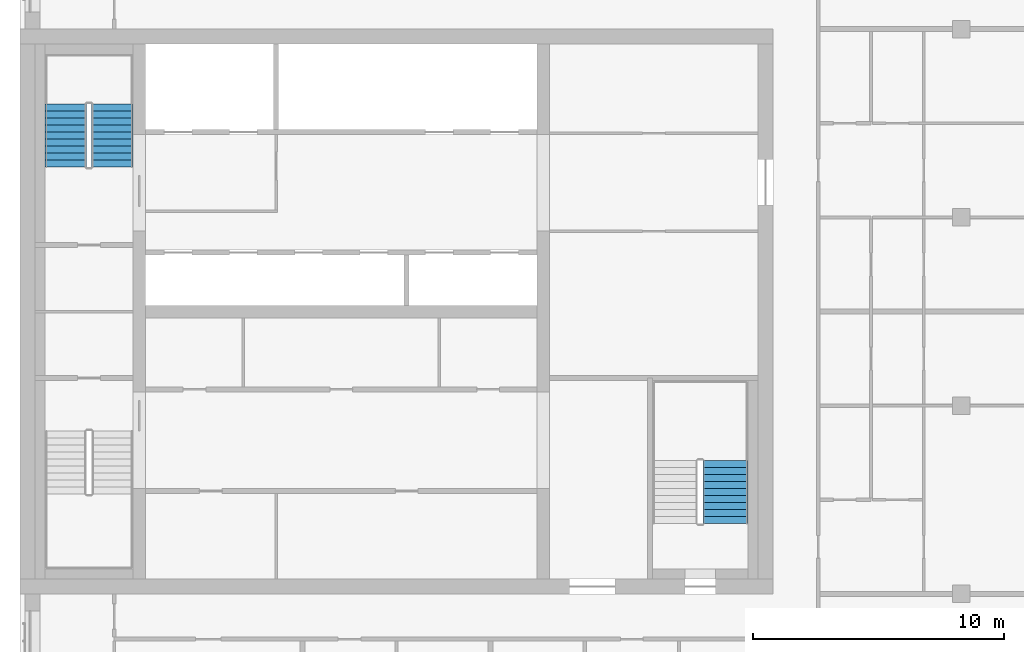
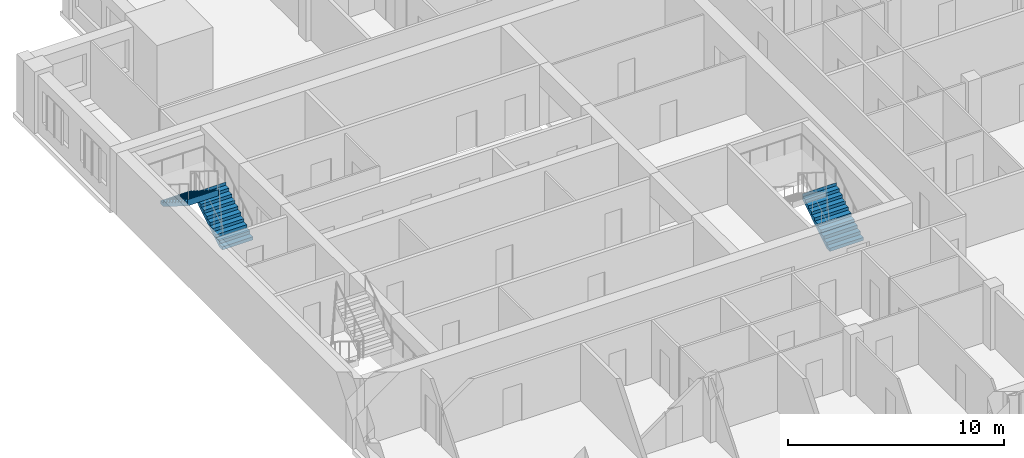
# One storey, part 9 of 10: 3 stair flights, 2 elements without a shape of their own.
"""IFC4 building model written with IfcOpenShell, lengths in metres."""

from ifc_helpers import new_model, si_unit, direction, frame, origin, place, context, subcontext, project, spatial, polyline, outline, extrude, material, type_object, element, aggregate, save


model = new_model("IFC4")

# Units and contexts
model_context = context("Model", 3, precision=1e-05, world=origin(), true_north=direction((0.0, 1.0)))
body_context = subcontext(model_context, "Body", "Model", "MODEL_VIEW")
ifc_project = project(units=[si_unit("LENGTHUNIT", "METRE"), si_unit("AREAUNIT", "SQUARE_METRE"), si_unit("VOLUMEUNIT", "CUBIC_METRE"), si_unit("PLANEANGLEUNIT", "RADIAN"), si_unit("MASSUNIT", "GRAM", prefix="KILO")], contexts=[model_context])

# Site, building, storey
site_placement = place(None, origin())
site = spatial("IfcSite", under=ifc_project, at=site_placement, CompositionType="ELEMENT")
building_placement = place(site_placement, origin())
building = spatial("IfcBuilding", under=site, at=building_placement, Name="Tamorin Gate", CompositionType="ELEMENT")
storey_placement = place(building_placement, frame((0.0, 0.0, 280.199951171875)))
storey = spatial("IfcBuildingStorey", under=building, at=storey_placement, Name="L70", CompositionType="ELEMENT", Elevation=280.199951171875)

# Stair, stair flights
ifc_material = material(Name="Concrete C40/50", Category="concrete")
stair_type = type_object("IfcStairType", Name="Exit stair", PredefinedType="HALF_TURN_STAIR", material=ifc_material)
stair_1_placement = place(storey_placement, origin())
stair_1 = element("IfcStair", 1, at=stair_1_placement, inside=storey, type_object=stair_type, Name="L70 stair ST2", PredefinedType="HALF_TURN_STAIR")
stair_flight_type = type_object("IfcStairFlightType", Name="Exit stair flight", PredefinedType="STRAIGHT", material=ifc_material)
stair_flight_1_placement = place(storey_placement, frame((33.675048828125, 77.0, 0.0), z_axis=(0.0, 0.0, 1.0), x_axis=(0.0, 1.0, 0.0)))
stair_flight_1 = element("IfcStairFlight", 2, at=stair_flight_1_placement, type_object=stair_flight_type, Name="ST2 flight 1", NumberOfRisers=10, NumberOfTreads=9, PredefinedType="STRAIGHT", RiserHeight=0.175, TreadLength=0.28, context=body_context, shape_type="SweptSolid", body=[
    extrude(outline(polyline([(-0.00048828125, 0.0), (-0.00048828125, 0.001708984375), (-0.00048828125, 0.00341796875), (-0.00048828125, 0.005126953125), (-0.00048828125, 0.0068359375), (-0.00048828125, 0.008544921875), (-0.00048828125, 0.010498046875), (-0.00048828125, 0.01220703125), (-0.00048828125, 0.013916015625), (-0.00048828125, 0.015625), (-0.00048828125, 0.017333984375), (-0.00048828125, 0.01904296875), (-0.00048828125, 0.020751953125), (-0.00048828125, 0.0224609375), (-0.00048828125, 0.024169921875), (-0.00048828125, 0.02587890625), (-0.00048828125, 0.02783203125), (-0.00048828125, 0.029541015625), (-0.00048828125, 0.03125), (-0.00048828125, 0.032958984375), (-0.00048828125, 0.03466796875), (-0.00048828125, 0.036376953125), (-0.00048828125, 0.0380859375), (-0.00048828125, 0.039794921875), (-0.00048828125, 0.04150390625), (-0.00048828125, 0.043212890625), (-0.00048828125, 0.045166015625), (-0.00048828125, 0.046875), (-0.00048828125, 0.048583984375), (-0.00048828125, 0.05029296875), (-0.00048828125, 0.052001953125), (-0.00048828125, 0.0537109375), (-0.00048828125, 0.055419921875), (-0.00048828125, 0.05712890625), (-0.00048828125, 0.058837890625), (-0.00048828125, 0.060546875), (-0.00048828125, 0.062255859375), (-0.00048828125, 0.064208984375), (-0.00048828125, 0.06591796875), (-0.00048828125, 0.067626953125), (-0.00048828125, 0.0693359375), (-0.00048828125, 0.071044921875), (-0.00048828125, 0.07275390625), (-0.00048828125, 0.074462890625), (-0.00048828125, 0.076171875), (-0.00048828125, 0.077880859375), (-0.00048828125, 0.07958984375), (-0.00048828125, 0.08154296875), (-0.00048828125, 0.083251953125), (-0.00048828125, 0.0849609375), (-0.00048828125, 0.086669921875), (-0.00048828125, 0.08837890625), (-0.00048828125, 0.090087890625), (-0.00048828125, 0.091796875), (-0.00048828125, 0.093505859375), (-0.00048828125, 0.09521484375), (-0.00048828125, 0.096923828125), (-0.00048828125, 0.098876953125), (-0.00048828125, 0.1005859375), (-0.00048828125, 0.102294921875), (-0.00048828125, 0.10400390625), (-0.00048828125, 0.105712890625), (-0.00048828125, 0.107421875), (-0.00048828125, 0.109130859375), (-0.00048828125, 0.11083984375), (-0.00048828125, 0.112548828125), (-0.00048828125, 0.1142578125), (-0.00048828125, 0.1162109375), (-0.00048828125, 0.117919921875), (-0.00048828125, 0.11962890625), (-0.00048828125, 0.121337890625), (-0.00048828125, 0.123046875), (-0.00048828125, 0.124755859375), (-0.00048828125, 0.12646484375), (-0.00048828125, 0.128173828125), (-0.00048828125, 0.1298828125), (-0.00048828125, 0.131591796875), (-0.00048828125, 0.13330078125), (-0.00048828125, 0.13525390625), (-0.00048828125, 0.136962890625), (-0.00048828125, 0.138671875), (-0.00048828125, 0.140380859375), (-0.00048828125, 0.14208984375), (-0.00048828125, 0.143798828125), (-0.00048828125, 0.1455078125), (-0.00048828125, 0.147216796875), (-0.00048828125, 0.14892578125), (-0.00048828125, 0.150634765625), (-0.00048828125, 0.152587890625), (-0.00048828125, 0.154296875), (-0.00048828125, 0.156005859375), (-0.00048828125, 0.15771484375), (-0.00048828125, 0.159423828125), (-0.00048828125, 0.1611328125), (-0.00048828125, 0.162841796875), (-0.00048828125, 0.16455078125), (-0.00048828125, 0.166259765625), (-0.00048828125, 0.16796875), (-0.00048828125, 0.169921875), (-0.00048828125, 0.171630859375), (-0.00048828125, 0.17333984375), (-0.00048828125, 0.175048828125), (0.280029296875, 0.175048828125), (0.280029296875, 0.35009765625), (0.56005859375, 0.35009765625), (0.56005859375, 0.52490234375), (0.840087890625, 0.52490234375), (0.840087890625, 0.699951171875), (1.1201171875, 0.699951171875), (1.1201171875, 0.875), (1.39990234375, 0.875), (1.39990234375, 1.050048828125), (1.679931640625, 1.050048828125), (1.679931640625, 1.22509765625), (1.9599609375, 1.22509765625), (1.9599609375, 1.39990234375), (2.239990234375, 1.39990234375), (2.239990234375, 1.574951171875), (2.52001953125, 1.574951171875), (2.52001953125, 1.75), (2.5205078125, 1.75), (2.5205078125, 1.74658203125), (2.5205078125, 1.742919921875), (2.5205078125, 1.739501953125), (2.5205078125, 1.736083984375), (2.5205078125, 1.732666015625), (2.5205078125, 1.72900390625), (2.5205078125, 1.7255859375), (2.5205078125, 1.72216796875), (2.5205078125, 1.71875), (2.5205078125, 1.715087890625), (2.5205078125, 1.711669921875), (2.5205078125, 1.708251953125), (2.5205078125, 1.704833984375), (2.5205078125, 1.701171875), (2.5205078125, 1.69775390625), (2.5205078125, 1.6943359375), (2.5205078125, 1.690673828125), (2.5205078125, 1.687255859375), (2.5205078125, 1.683837890625), (2.5205078125, 1.680419921875), (2.5205078125, 1.6767578125), (2.5205078125, 1.67333984375), (2.5205078125, 1.669921875), (2.5205078125, 1.66650390625), (2.5205078125, 1.662841796875), (2.5205078125, 1.659423828125), (2.5205078125, 1.656005859375), (2.5205078125, 1.652587890625), (2.5205078125, 1.64892578125), (2.5205078125, 1.6455078125), (2.5205078125, 1.64208984375), (2.5205078125, 1.638427734375), (2.5205078125, 1.635009765625), (2.5205078125, 1.631591796875), (2.5205078125, 1.628173828125), (2.5205078125, 1.62451171875), (2.5205078125, 1.62109375), (2.5205078125, 1.61767578125), (2.5205078125, 1.6142578125), (2.5205078125, 1.610595703125), (2.5205078125, 1.607177734375), (2.5205078125, 1.603759765625), (2.5205078125, 1.600341796875), (2.5205078125, 1.5966796875), (2.5205078125, 1.59326171875), (2.5205078125, 1.58984375), (2.5205078125, 1.58642578125), (2.5205078125, 1.582763671875), (2.5205078125, 1.579345703125), (2.5205078125, 1.575927734375), (2.5205078125, 1.572265625), (2.5205078125, 1.56884765625), (2.5205078125, 1.5654296875), (2.5205078125, 1.56201171875), (2.5205078125, 1.558349609375), (2.5205078125, 1.554931640625), (2.5205078125, 1.551513671875), (2.5205078125, 1.548095703125), (2.5205078125, 1.54443359375), (2.5205078125, 1.541015625), (2.5205078125, 1.53759765625), (2.5205078125, 1.5341796875), (2.5205078125, 1.530517578125), (2.5205078125, 1.527099609375), (2.5205078125, 1.523681640625), (2.5205078125, 1.52001953125), (2.5205078125, 1.5166015625), (2.5205078125, 1.51318359375), (2.5205078125, 1.509765625), (2.5205078125, 1.506103515625), (2.5205078125, 1.502685546875), (2.5205078125, 1.499267578125), (2.5205078125, 1.495849609375), (2.5205078125, 1.4921875), (2.5205078125, 1.48876953125), (2.5205078125, 1.4853515625), (2.5205078125, 1.48193359375), (2.5205078125, 1.478271484375), (2.5205078125, 1.474853515625), (2.5205078125, 1.471435546875), (2.5205078125, 1.4677734375), (2.5205078125, 1.46435546875), (2.5205078125, 1.4609375), (2.5205078125, 1.45751953125), (2.5205078125, 1.453857421875), (2.5205078125, 1.450439453125), (2.5205078125, 1.447021484375), (2.5205078125, 1.443603515625), (2.5205078125, 1.43994140625), (2.5205078125, 1.4365234375), (2.5205078125, 1.43310546875), (2.5205078125, 1.4296875), (2.5205078125, 1.426025390625), (2.5205078125, 1.422607421875), (2.5205078125, 1.419189453125), (2.5205078125, 1.41552734375), (2.5205078125, 1.412109375), (2.5205078125, 1.40869140625), (2.5205078125, 1.4052734375), (2.5205078125, 1.401611328125), (2.5205078125, 1.398193359375), (2.52001953125, 1.398193359375), (0.28271484375, 0.0), (-0.00048828125, 0.0)])), frame((0.0, 0.824951171875, 0.0), z_axis=(0.0, -1.0, 0.0), x_axis=(1.0, 0.0, 0.0)), (0.0, 0.0, 1.0), 1.64990234375),
])
stair_flight_2_placement = place(storey_placement, frame((31.824951171875, 79.52001953125, 1.75), z_axis=(0.0, 0.0, 1.0), x_axis=(0.0, -1.0, 0.0)))
stair_flight_2 = element("IfcStairFlight", 3, at=stair_flight_2_placement, type_object=stair_flight_type, Name="ST2 flight 2", NumberOfRisers=10, NumberOfTreads=9, PredefinedType="STRAIGHT", RiserHeight=0.175, TreadLength=0.28, context=body_context, shape_type="SweptSolid", body=[
    extrude(outline(polyline([(-0.00048828125, 0.0), (-0.00048828125, 0.001708984375), (-0.00048828125, 0.00341796875), (-0.00048828125, 0.005126953125), (-0.00048828125, 0.0068359375), (-0.00048828125, 0.008544921875), (-0.00048828125, 0.010498046875), (-0.00048828125, 0.01220703125), (-0.00048828125, 0.013916015625), (-0.00048828125, 0.015625), (-0.00048828125, 0.017333984375), (-0.00048828125, 0.01904296875), (-0.00048828125, 0.020751953125), (-0.00048828125, 0.0224609375), (-0.00048828125, 0.024169921875), (-0.00048828125, 0.02587890625), (-0.00048828125, 0.02783203125), (-0.00048828125, 0.029541015625), (-0.00048828125, 0.03125), (-0.00048828125, 0.032958984375), (-0.00048828125, 0.03466796875), (-0.00048828125, 0.036376953125), (-0.00048828125, 0.0380859375), (-0.00048828125, 0.039794921875), (-0.00048828125, 0.04150390625), (-0.00048828125, 0.043212890625), (-0.00048828125, 0.045166015625), (-0.00048828125, 0.046875), (-0.00048828125, 0.048583984375), (-0.00048828125, 0.05029296875), (-0.00048828125, 0.052001953125), (-0.00048828125, 0.0537109375), (-0.00048828125, 0.055419921875), (-0.00048828125, 0.05712890625), (-0.00048828125, 0.058837890625), (-0.00048828125, 0.060546875), (-0.00048828125, 0.062255859375), (-0.00048828125, 0.064208984375), (-0.00048828125, 0.06591796875), (-0.00048828125, 0.067626953125), (-0.00048828125, 0.0693359375), (-0.00048828125, 0.071044921875), (-0.00048828125, 0.07275390625), (-0.00048828125, 0.074462890625), (-0.00048828125, 0.076171875), (-0.00048828125, 0.077880859375), (-0.00048828125, 0.07958984375), (-0.00048828125, 0.08154296875), (-0.00048828125, 0.083251953125), (-0.00048828125, 0.0849609375), (-0.00048828125, 0.086669921875), (-0.00048828125, 0.08837890625), (-0.00048828125, 0.090087890625), (-0.00048828125, 0.091796875), (-0.00048828125, 0.093505859375), (-0.00048828125, 0.09521484375), (-0.00048828125, 0.096923828125), (-0.00048828125, 0.098876953125), (-0.00048828125, 0.1005859375), (-0.00048828125, 0.102294921875), (-0.00048828125, 0.10400390625), (-0.00048828125, 0.105712890625), (-0.00048828125, 0.107421875), (-0.00048828125, 0.109130859375), (-0.00048828125, 0.11083984375), (-0.00048828125, 0.112548828125), (-0.00048828125, 0.1142578125), (-0.00048828125, 0.1162109375), (-0.00048828125, 0.117919921875), (-0.00048828125, 0.11962890625), (-0.00048828125, 0.121337890625), (-0.00048828125, 0.123046875), (-0.00048828125, 0.124755859375), (-0.00048828125, 0.12646484375), (-0.00048828125, 0.128173828125), (-0.00048828125, 0.1298828125), (-0.00048828125, 0.131591796875), (-0.00048828125, 0.13330078125), (-0.00048828125, 0.13525390625), (-0.00048828125, 0.136962890625), (-0.00048828125, 0.138671875), (-0.00048828125, 0.140380859375), (-0.00048828125, 0.14208984375), (-0.00048828125, 0.143798828125), (-0.00048828125, 0.1455078125), (-0.00048828125, 0.147216796875), (-0.00048828125, 0.14892578125), (-0.00048828125, 0.150634765625), (-0.00048828125, 0.152587890625), (-0.00048828125, 0.154296875), (-0.00048828125, 0.156005859375), (-0.00048828125, 0.15771484375), (-0.00048828125, 0.159423828125), (-0.00048828125, 0.1611328125), (-0.00048828125, 0.162841796875), (-0.00048828125, 0.16455078125), (-0.00048828125, 0.166259765625), (-0.00048828125, 0.16796875), (-0.00048828125, 0.169921875), (-0.00048828125, 0.171630859375), (-0.00048828125, 0.17333984375), (-0.00048828125, 0.175048828125), (0.280029296875, 0.175048828125), (0.280029296875, 0.35009765625), (0.56005859375, 0.35009765625), (0.56005859375, 0.52490234375), (0.840087890625, 0.52490234375), (0.840087890625, 0.699951171875), (1.1201171875, 0.699951171875), (1.1201171875, 0.875), (1.39990234375, 0.875), (1.39990234375, 1.050048828125), (1.679931640625, 1.050048828125), (1.679931640625, 1.22509765625), (1.9599609375, 1.22509765625), (1.9599609375, 1.39990234375), (2.239990234375, 1.39990234375), (2.239990234375, 1.574951171875), (2.52001953125, 1.574951171875), (2.52001953125, 1.75), (2.5205078125, 1.75), (2.5205078125, 1.74658203125), (2.5205078125, 1.742919921875), (2.5205078125, 1.739501953125), (2.5205078125, 1.736083984375), (2.5205078125, 1.732666015625), (2.5205078125, 1.72900390625), (2.5205078125, 1.7255859375), (2.5205078125, 1.72216796875), (2.5205078125, 1.71875), (2.5205078125, 1.715087890625), (2.5205078125, 1.711669921875), (2.5205078125, 1.708251953125), (2.5205078125, 1.704833984375), (2.5205078125, 1.701171875), (2.5205078125, 1.69775390625), (2.5205078125, 1.6943359375), (2.5205078125, 1.690673828125), (2.5205078125, 1.687255859375), (2.5205078125, 1.683837890625), (2.5205078125, 1.680419921875), (2.5205078125, 1.6767578125), (2.5205078125, 1.67333984375), (2.5205078125, 1.669921875), (2.5205078125, 1.66650390625), (2.5205078125, 1.662841796875), (2.5205078125, 1.659423828125), (2.5205078125, 1.656005859375), (2.5205078125, 1.652587890625), (2.5205078125, 1.64892578125), (2.5205078125, 1.6455078125), (2.5205078125, 1.64208984375), (2.5205078125, 1.638427734375), (2.5205078125, 1.635009765625), (2.5205078125, 1.631591796875), (2.5205078125, 1.628173828125), (2.5205078125, 1.62451171875), (2.5205078125, 1.62109375), (2.5205078125, 1.61767578125), (2.5205078125, 1.6142578125), (2.5205078125, 1.610595703125), (2.5205078125, 1.607177734375), (2.5205078125, 1.603759765625), (2.5205078125, 1.600341796875), (2.5205078125, 1.5966796875), (2.5205078125, 1.59326171875), (2.5205078125, 1.58984375), (2.5205078125, 1.58642578125), (2.5205078125, 1.582763671875), (2.5205078125, 1.579345703125), (2.5205078125, 1.575927734375), (2.5205078125, 1.572265625), (2.5205078125, 1.56884765625), (2.5205078125, 1.5654296875), (2.5205078125, 1.56201171875), (2.5205078125, 1.558349609375), (2.5205078125, 1.554931640625), (2.5205078125, 1.551513671875), (2.5205078125, 1.548095703125), (2.5205078125, 1.54443359375), (2.5205078125, 1.541015625), (2.5205078125, 1.53759765625), (2.5205078125, 1.5341796875), (2.5205078125, 1.530517578125), (2.5205078125, 1.527099609375), (2.5205078125, 1.523681640625), (2.5205078125, 1.52001953125), (2.5205078125, 1.5166015625), (2.5205078125, 1.51318359375), (2.5205078125, 1.509765625), (2.5205078125, 1.506103515625), (2.5205078125, 1.502685546875), (2.5205078125, 1.499267578125), (2.5205078125, 1.495849609375), (2.5205078125, 1.4921875), (2.5205078125, 1.48876953125), (2.5205078125, 1.4853515625), (2.5205078125, 1.48193359375), (2.5205078125, 1.478271484375), (2.5205078125, 1.474853515625), (2.5205078125, 1.471435546875), (2.5205078125, 1.4677734375), (2.5205078125, 1.46435546875), (2.5205078125, 1.4609375), (2.5205078125, 1.45751953125), (2.5205078125, 1.453857421875), (2.5205078125, 1.450439453125), (2.5205078125, 1.447021484375), (2.5205078125, 1.443603515625), (2.5205078125, 1.43994140625), (2.5205078125, 1.4365234375), (2.5205078125, 1.43310546875), (2.5205078125, 1.4296875), (2.5205078125, 1.426025390625), (2.5205078125, 1.422607421875), (2.5205078125, 1.419189453125), (2.5205078125, 1.41552734375), (2.5205078125, 1.412109375), (2.5205078125, 1.40869140625), (2.5205078125, 1.4052734375), (2.5205078125, 1.401611328125), (2.5205078125, 1.398193359375), (2.52001953125, 1.398193359375), (0.28271484375, 0.0), (-0.00048828125, 0.0)])), frame((0.0, 0.824951171875, 0.0), z_axis=(0.0, -1.0, 0.0), x_axis=(1.0, 0.0, 0.0)), (0.0, 0.0, 1.0), 1.64990234375),
])
aggregate(stair_1, [stair_flight_1, stair_flight_2])

# Stair, stair flight
stair_2_placement = place(storey_placement, origin())
stair_2 = element("IfcStair", 4, at=stair_2_placement, inside=storey, type_object=stair_type, Name="L70 stair ST3", PredefinedType="HALF_TURN_STAIR")
stair_flight_3_placement = place(storey_placement, frame((58.10009765625, 62.800048828125, 0.0), z_axis=(0.0, 0.0, 1.0), x_axis=(0.0, 1.0, 0.0)))
stair_flight_3 = element("IfcStairFlight", 5, at=stair_flight_3_placement, type_object=stair_flight_type, Name="ST3 flight 1", NumberOfRisers=10, NumberOfTreads=9, PredefinedType="STRAIGHT", RiserHeight=0.175, TreadLength=0.28, context=body_context, shape_type="SweptSolid", body=[
    extrude(outline(polyline([(-0.00048828125, 0.0), (-0.00048828125, 0.001708984375), (-0.00048828125, 0.00341796875), (-0.00048828125, 0.005126953125), (-0.00048828125, 0.0068359375), (-0.00048828125, 0.008544921875), (-0.00048828125, 0.010498046875), (-0.00048828125, 0.01220703125), (-0.00048828125, 0.013916015625), (-0.00048828125, 0.015625), (-0.00048828125, 0.017333984375), (-0.00048828125, 0.01904296875), (-0.00048828125, 0.020751953125), (-0.00048828125, 0.0224609375), (-0.00048828125, 0.024169921875), (-0.00048828125, 0.02587890625), (-0.00048828125, 0.02783203125), (-0.00048828125, 0.029541015625), (-0.00048828125, 0.03125), (-0.00048828125, 0.032958984375), (-0.00048828125, 0.03466796875), (-0.00048828125, 0.036376953125), (-0.00048828125, 0.0380859375), (-0.00048828125, 0.039794921875), (-0.00048828125, 0.04150390625), (-0.00048828125, 0.043212890625), (-0.00048828125, 0.045166015625), (-0.00048828125, 0.046875), (-0.00048828125, 0.048583984375), (-0.00048828125, 0.05029296875), (-0.00048828125, 0.052001953125), (-0.00048828125, 0.0537109375), (-0.00048828125, 0.055419921875), (-0.00048828125, 0.05712890625), (-0.00048828125, 0.058837890625), (-0.00048828125, 0.060546875), (-0.00048828125, 0.062255859375), (-0.00048828125, 0.064208984375), (-0.00048828125, 0.06591796875), (-0.00048828125, 0.067626953125), (-0.00048828125, 0.0693359375), (-0.00048828125, 0.071044921875), (-0.00048828125, 0.07275390625), (-0.00048828125, 0.074462890625), (-0.00048828125, 0.076171875), (-0.00048828125, 0.077880859375), (-0.00048828125, 0.07958984375), (-0.00048828125, 0.08154296875), (-0.00048828125, 0.083251953125), (-0.00048828125, 0.0849609375), (-0.00048828125, 0.086669921875), (-0.00048828125, 0.08837890625), (-0.00048828125, 0.090087890625), (-0.00048828125, 0.091796875), (-0.00048828125, 0.093505859375), (-0.00048828125, 0.09521484375), (-0.00048828125, 0.096923828125), (-0.00048828125, 0.098876953125), (-0.00048828125, 0.1005859375), (-0.00048828125, 0.102294921875), (-0.00048828125, 0.10400390625), (-0.00048828125, 0.105712890625), (-0.00048828125, 0.107421875), (-0.00048828125, 0.109130859375), (-0.00048828125, 0.11083984375), (-0.00048828125, 0.112548828125), (-0.00048828125, 0.1142578125), (-0.00048828125, 0.1162109375), (-0.00048828125, 0.117919921875), (-0.00048828125, 0.11962890625), (-0.00048828125, 0.121337890625), (-0.00048828125, 0.123046875), (-0.00048828125, 0.124755859375), (-0.00048828125, 0.12646484375), (-0.00048828125, 0.128173828125), (-0.00048828125, 0.1298828125), (-0.00048828125, 0.131591796875), (-0.00048828125, 0.13330078125), (-0.00048828125, 0.13525390625), (-0.00048828125, 0.136962890625), (-0.00048828125, 0.138671875), (-0.00048828125, 0.140380859375), (-0.00048828125, 0.14208984375), (-0.00048828125, 0.143798828125), (-0.00048828125, 0.1455078125), (-0.00048828125, 0.147216796875), (-0.00048828125, 0.14892578125), (-0.00048828125, 0.150634765625), (-0.00048828125, 0.152587890625), (-0.00048828125, 0.154296875), (-0.00048828125, 0.156005859375), (-0.00048828125, 0.15771484375), (-0.00048828125, 0.159423828125), (-0.00048828125, 0.1611328125), (-0.00048828125, 0.162841796875), (-0.00048828125, 0.16455078125), (-0.00048828125, 0.166259765625), (-0.00048828125, 0.16796875), (-0.00048828125, 0.169921875), (-0.00048828125, 0.171630859375), (-0.00048828125, 0.17333984375), (-0.00048828125, 0.175048828125), (0.280029296875, 0.175048828125), (0.280029296875, 0.35009765625), (0.56005859375, 0.35009765625), (0.56005859375, 0.52490234375), (0.840087890625, 0.52490234375), (0.840087890625, 0.699951171875), (1.1201171875, 0.699951171875), (1.1201171875, 0.875), (1.39990234375, 0.875), (1.39990234375, 1.050048828125), (1.679931640625, 1.050048828125), (1.679931640625, 1.22509765625), (1.9599609375, 1.22509765625), (1.9599609375, 1.39990234375), (2.239990234375, 1.39990234375), (2.239990234375, 1.574951171875), (2.52001953125, 1.574951171875), (2.52001953125, 1.75), (2.5205078125, 1.75), (2.5205078125, 1.74658203125), (2.5205078125, 1.742919921875), (2.5205078125, 1.739501953125), (2.5205078125, 1.736083984375), (2.5205078125, 1.732666015625), (2.5205078125, 1.72900390625), (2.5205078125, 1.7255859375), (2.5205078125, 1.72216796875), (2.5205078125, 1.71875), (2.5205078125, 1.715087890625), (2.5205078125, 1.711669921875), (2.5205078125, 1.708251953125), (2.5205078125, 1.704833984375), (2.5205078125, 1.701171875), (2.5205078125, 1.69775390625), (2.5205078125, 1.6943359375), (2.5205078125, 1.690673828125), (2.5205078125, 1.687255859375), (2.5205078125, 1.683837890625), (2.5205078125, 1.680419921875), (2.5205078125, 1.6767578125), (2.5205078125, 1.67333984375), (2.5205078125, 1.669921875), (2.5205078125, 1.66650390625), (2.5205078125, 1.662841796875), (2.5205078125, 1.659423828125), (2.5205078125, 1.656005859375), (2.5205078125, 1.652587890625), (2.5205078125, 1.64892578125), (2.5205078125, 1.6455078125), (2.5205078125, 1.64208984375), (2.5205078125, 1.638427734375), (2.5205078125, 1.635009765625), (2.5205078125, 1.631591796875), (2.5205078125, 1.628173828125), (2.5205078125, 1.62451171875), (2.5205078125, 1.62109375), (2.5205078125, 1.61767578125), (2.5205078125, 1.6142578125), (2.5205078125, 1.610595703125), (2.5205078125, 1.607177734375), (2.5205078125, 1.603759765625), (2.5205078125, 1.600341796875), (2.5205078125, 1.5966796875), (2.5205078125, 1.59326171875), (2.5205078125, 1.58984375), (2.5205078125, 1.58642578125), (2.5205078125, 1.582763671875), (2.5205078125, 1.579345703125), (2.5205078125, 1.575927734375), (2.5205078125, 1.572265625), (2.5205078125, 1.56884765625), (2.5205078125, 1.5654296875), (2.5205078125, 1.56201171875), (2.5205078125, 1.558349609375), (2.5205078125, 1.554931640625), (2.5205078125, 1.551513671875), (2.5205078125, 1.548095703125), (2.5205078125, 1.54443359375), (2.5205078125, 1.541015625), (2.5205078125, 1.53759765625), (2.5205078125, 1.5341796875), (2.5205078125, 1.530517578125), (2.5205078125, 1.527099609375), (2.5205078125, 1.523681640625), (2.5205078125, 1.52001953125), (2.5205078125, 1.5166015625), (2.5205078125, 1.51318359375), (2.5205078125, 1.509765625), (2.5205078125, 1.506103515625), (2.5205078125, 1.502685546875), (2.5205078125, 1.499267578125), (2.5205078125, 1.495849609375), (2.5205078125, 1.4921875), (2.5205078125, 1.48876953125), (2.5205078125, 1.4853515625), (2.5205078125, 1.48193359375), (2.5205078125, 1.478271484375), (2.5205078125, 1.474853515625), (2.5205078125, 1.471435546875), (2.5205078125, 1.4677734375), (2.5205078125, 1.46435546875), (2.5205078125, 1.4609375), (2.5205078125, 1.45751953125), (2.5205078125, 1.453857421875), (2.5205078125, 1.450439453125), (2.5205078125, 1.447021484375), (2.5205078125, 1.443603515625), (2.5205078125, 1.43994140625), (2.5205078125, 1.4365234375), (2.5205078125, 1.43310546875), (2.5205078125, 1.4296875), (2.5205078125, 1.426025390625), (2.5205078125, 1.422607421875), (2.5205078125, 1.419189453125), (2.5205078125, 1.41552734375), (2.5205078125, 1.412109375), (2.5205078125, 1.40869140625), (2.5205078125, 1.4052734375), (2.5205078125, 1.401611328125), (2.5205078125, 1.398193359375), (2.52001953125, 1.398193359375), (0.28271484375, 0.0), (-0.00048828125, 0.0)])), frame((0.0, 0.89990234375, 0.0), z_axis=(0.0, -1.0, 0.0), x_axis=(1.0, 0.0, 0.0)), (0.0, 0.0, 1.0), 1.800048828125),
])
aggregate(stair_2, [stair_flight_3])

save(model, "model.ifc")
